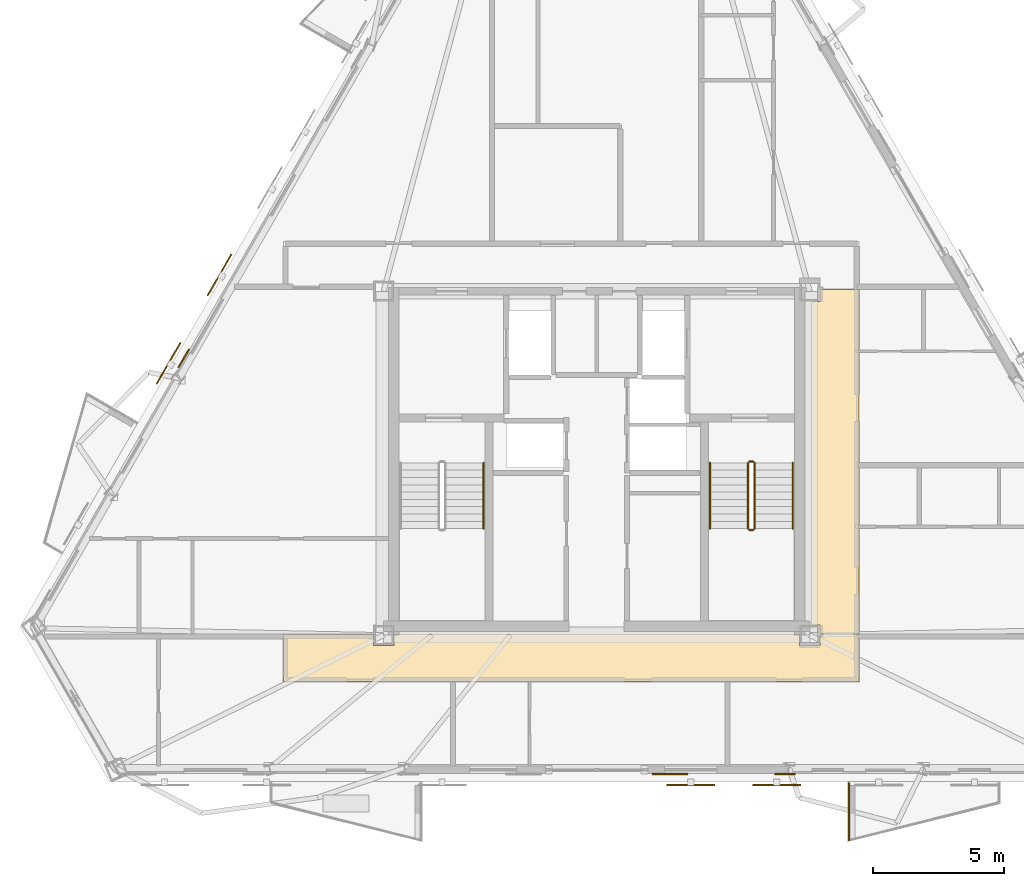
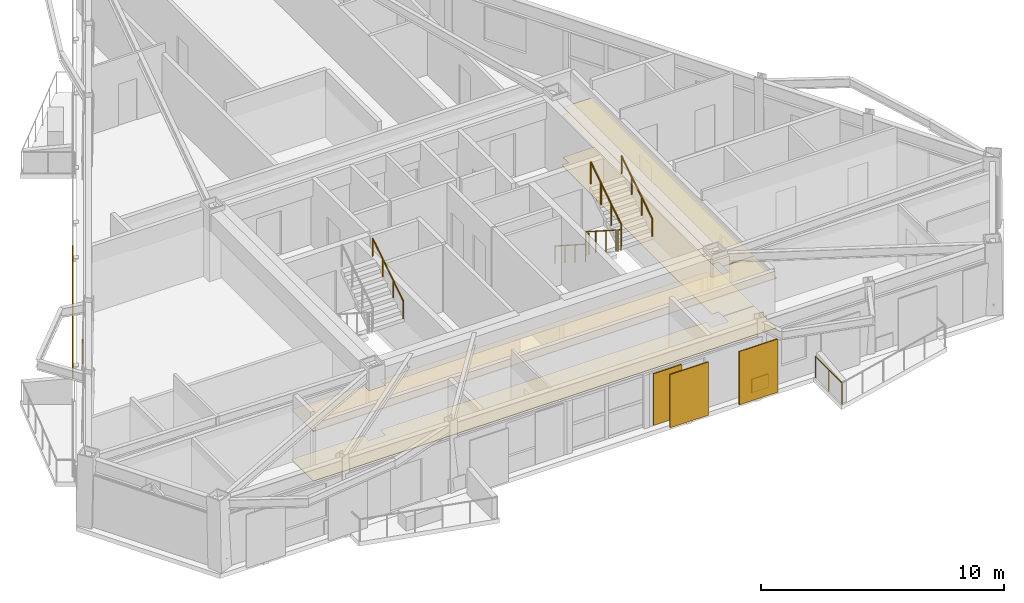
# One storey, part 11 of 12: 8 railings, 7 coverings, 4 shading devices.
"""IFC4 building model written with IfcOpenShell, lengths in metres."""

from ifc_helpers import new_model, si_unit, direction, frame, origin, origin_2d, place, context, subcontext, project, spatial, polyline, rectangle, circle, outline, extrude, material, layer, layer_set, type_object, element, save


model = new_model("IFC4")

# Units and contexts
model_context = context("Model", 3, precision=1e-05, world=origin(), true_north=direction((0.0, 1.0)))
body_context = subcontext(model_context, "Body", "Model", "MODEL_VIEW")
ifc_project = project(units=[si_unit("LENGTHUNIT", "METRE"), si_unit("AREAUNIT", "SQUARE_METRE"), si_unit("VOLUMEUNIT", "CUBIC_METRE"), si_unit("PLANEANGLEUNIT", "RADIAN"), si_unit("MASSUNIT", "GRAM", prefix="KILO")], contexts=[model_context])

# Site, building, storey
site_placement = place(None, origin())
site = spatial("IfcSite", under=ifc_project, at=site_placement, CompositionType="ELEMENT")
building_placement = place(site_placement, origin())
building = spatial("IfcBuilding", under=site, at=building_placement, Name="Oramaril Tower", CompositionType="ELEMENT")
storey_placement = place(building_placement, frame((0.0, 0.0, 227.10009765625)))
storey = spatial("IfcBuildingStorey", under=building, at=storey_placement, Name="L60", CompositionType="ELEMENT", Elevation=227.10009765625)

# Coverings
ifc_material_1 = material(Name="Mineral Fibre Acoustic Ceiling")
ifc_layer_1 = layer(ifc_material_1, 0.02001953125)
ifc_layer_set_1 = layer_set([ifc_layer_1], Name="CVT-CEIL")
covering_type_1 = type_object("IfcCoveringType", Name="CVT-CEIL", PredefinedType="CEILING", material=ifc_layer_set_1)
covering_1_placement = place(storey_placement, frame((0.0, 0.0, 2.511962890625)))
element("IfcCovering", 1, at=covering_1_placement, inside=storey, type_object=covering_type_1, Name="L60 Acoustic Suspended Ceiling 1", PredefinedType="CEILING", context=body_context, shape_type="SweptSolid", body=[
    extrude(outline(polyline([(28.955078125, 10.60498046875), (29.7451171875, 10.60498046875), (29.7451171875, 11.030029296875), (45.2548828125, 11.030029296875), (45.2548828125, 10.60498046875), (46.044921875, 10.60498046875), (46.044921875, 11.030029296875), (47.530029296875, 11.030029296875), (47.530029296875, 9.219970703125), (25.52001953125, 9.219970703125), (25.52001953125, 11.030029296875), (28.955078125, 11.030029296875), (28.955078125, 10.60498046875)])), origin(), (0.0, 0.0, 1.0), 0.02001953125),
])
covering_2_placement = place(storey_placement, frame((0.0, 0.0, 2.511962890625)))
element("IfcCovering", 2, at=covering_2_placement, inside=storey, type_object=covering_type_1, Name="L60 Acoustic Suspended Ceiling 3", PredefinedType="CEILING", context=body_context, shape_type="SweptSolid", body=[
    extrude(outline(polyline([(47.530029296875, 11.050048828125), (46.044921875, 11.050048828125), (46.044921875, 11.39501953125), (45.719970703125, 11.39501953125), (45.719970703125, 23.7548828125), (46.044921875, 23.7548828125), (46.044921875, 24.219970703125), (47.530029296875, 24.219970703125), (47.530029296875, 11.050048828125)])), origin(), (0.0, 0.0, 1.0), 0.02001953125),
])
ifc_material_2 = material(Name="Warm Cream Limestone", Category="masonry")
ifc_layer_2 = layer(ifc_material_2, 0.050048828125)
ifc_layer_set_2 = layer_set([ifc_layer_2], Name="CVT-CLD")
covering_type_2 = type_object("IfcCoveringType", Name="CVT-CLD", PredefinedType="CLADDING", material=ifc_layer_set_2)
covering_3_placement = place(storey_placement, frame((40.300048828125, 5.681396484375, 0.0400390625), z_axis=(0.0, 0.0, 1.0), x_axis=(1.0, 0.0, 0.0)))
element("IfcCovering", 3, at=covering_3_placement, inside=storey, type_object=covering_type_2, Name="L60 Warm Cream Limestone Cladding", PredefinedType="CLADDING", context=body_context, shape_type="SweptSolid", body=[
    extrude(rectangle(XDim=1.35009765625, YDim=0.050048828125, at=origin_2d()), origin(), (0.0, 0.0, 1.0), 2.596923828125),
])
for number, where, z_axis, x_axis, name in (
    (4, (44.70458984375, 5.681396484375, 0.0400390625), (0.0, 0.0, 1.0), (1.0, 0.0, 0.0), "L60 Warm Cream Limestone Spandrel Cladding"),
    (5, (21.706298828125, 21.581787109375, 0.0400390625), (0.0, 0.0, 1.0), (-0.4999984885, -0.866026276448, 0.0), "L60 Warm Cream Limestone Spandrel Cladding"),
):
    element("IfcCovering", number, at=place(storey_placement, frame(where, z_axis=z_axis, x_axis=x_axis)), inside=storey, type_object=covering_type_2, Name=name, PredefinedType="CLADDING", context=body_context, shape_type="SweptSolid", body=[
        extrude(rectangle(XDim=0.800048828125, YDim=0.050048828125, at=origin_2d()), origin(), (0.0, 0.0, 1.0), 0.679931640625),
    ])
ifc_material_3 = material(Name="Honed Quartzite Stone Flooring", Category="masonry")
ifc_layer_3 = layer(ifc_material_3, 0.02490234375)
ifc_layer_set_3 = layer_set([ifc_layer_3], Name="CVT-FLR")
covering_type_3 = type_object("IfcCoveringType", Name="CVT-FLR", PredefinedType="FLOORING", material=ifc_layer_set_3)
covering_4_placement = place(storey_placement, origin())
element("IfcCovering", 6, at=covering_4_placement, inside=storey, type_object=covering_type_3, Name="L60 Honed Stone Floor Finish 1", PredefinedType="FLOORING", context=body_context, shape_type="SweptSolid", body=[
    extrude(outline(polyline([(28.955078125, 10.60498046875), (29.7451171875, 10.60498046875), (29.7451171875, 11.030029296875), (45.2548828125, 11.030029296875), (45.2548828125, 10.60498046875), (46.044921875, 10.60498046875), (46.044921875, 11.030029296875), (47.530029296875, 11.030029296875), (47.530029296875, 9.219970703125), (25.52001953125, 9.219970703125), (25.52001953125, 11.030029296875), (28.955078125, 11.030029296875), (28.955078125, 10.60498046875)])), origin(), (0.0, 0.0, 1.0), 0.02490234375),
])
covering_5_placement = place(storey_placement, origin())
element("IfcCovering", 7, at=covering_5_placement, inside=storey, type_object=covering_type_3, Name="L60 Honed Stone Floor Finish 3", PredefinedType="FLOORING", context=body_context, shape_type="SweptSolid", body=[
    extrude(outline(polyline([(47.530029296875, 11.050048828125), (46.044921875, 11.050048828125), (46.044921875, 11.39501953125), (45.719970703125, 11.39501953125), (45.719970703125, 23.7548828125), (46.044921875, 23.7548828125), (46.044921875, 24.219970703125), (47.530029296875, 24.219970703125), (47.530029296875, 11.050048828125)])), origin(), (0.0, 0.0, 1.0), 0.02490234375),
])

# Railings
ifc_material_4 = material(Name="Stainless Steel 316L", Category="steel")
railing_type_1 = type_object("IfcRailingType", Name="RLT-GRD", PredefinedType="GUARDRAIL", material=ifc_material_4)
railing_1_placement = place(storey_placement, frame((47.146484375, 3.1494140625, 0.0)))
element("IfcRailing", 8, at=railing_1_placement, inside=storey, type_object=railing_type_1, Name="L60 Balcony Guardrail L60-BAL-S2.3", PredefinedType="GUARDRAIL", context=body_context, shape_type="SweptSolid", body=[
    extrude(circle(Radius=0.02392578125, at=origin_2d()), frame((0.0, 0.0, 1.076171875), z_axis=(0.0, 1.0, 0.0), x_axis=(-1.0, 0.0, 0.0)), (0.0, 0.0, 1.0), 2.19189453125),
    extrude(circle(Radius=0.02099609375, at=origin_2d()), origin(), (0.0, 0.0, 1.0), 1.052001953125),
    extrude(circle(Radius=0.02099609375, at=origin_2d()), frame((0.0, 1.095947265625, 0.0)), (0.0, 0.0, 1.0), 1.052001953125),
    extrude(circle(Radius=0.02099609375, at=origin_2d()), frame((0.0, 2.19189453125, 0.0)), (0.0, 0.0, 1.0), 1.052001953125),
])
railing_2_placement = place(storey_placement, frame((43.2900390625, 17.590087890625, 0.179931640625)))
element("IfcRailing", 9, at=railing_2_placement, inside=storey, type_object=railing_type_1, Name="L60 ST-2 stair guard 1", PredefinedType="GUARDRAIL", context=body_context, shape_type="SweptSolid", body=[
    extrude(circle(Radius=0.02392578125, at=origin_2d()), frame((0.0, 0.0, 1.076171875), z_axis=(0.0, -0.841199657755, 0.540724639528), x_axis=(1.0, 0.0, 0.0)), (0.0, 0.0, 1.0), 2.995849609375),
    extrude(circle(Radius=0.02099609375, at=origin_2d()), origin(), (0.0, 0.0, 1.0), 1.052001953125),
    extrude(circle(Radius=0.02099609375, at=origin_2d()), frame((0.0, -0.840087890625, 0.5400390625)), (0.0, 0.0, 1.0), 1.052001953125),
    extrude(circle(Radius=0.02099609375, at=origin_2d()), frame((0.0, -1.679931640625, 1.079833984375)), (0.0, 0.0, 1.0), 1.052001953125),
    extrude(circle(Radius=0.02099609375, at=origin_2d()), frame((0.0, -2.52001953125, 1.619873046875)), (0.0, 0.0, 1.0), 1.052001953125),
])
railing_3_placement = place(storey_placement, frame((43.340087890625, 15.02001953125, 1.7998046875)))
element("IfcRailing", 10, at=railing_3_placement, inside=storey, type_object=railing_type_1, Name="L60 ST-2 stair guard 2", PredefinedType="GUARDRAIL", context=body_context, shape_type="SweptSolid", body=[
    extrude(circle(Radius=0.02392578125, at=origin_2d()), frame((0.0, 0.0, 1.076171875), z_axis=(1.0, 0.0, 0.0), x_axis=(0.0, 1.0, 0.0)), (0.0, 0.0, 1.0), 0.14990234375),
    extrude(circle(Radius=0.02099609375, at=origin_2d()), origin(), (0.0, 0.0, 1.0), 1.052001953125),
    extrude(circle(Radius=0.02099609375, at=origin_2d()), frame((0.14990234375, 0.0, 0.0)), (0.0, 0.0, 1.0), 1.052001953125),
])
railing_4_placement = place(storey_placement, frame((43.5400390625, 15.070068359375, 1.97998046875)))
element("IfcRailing", 11, at=railing_4_placement, inside=storey, type_object=railing_type_1, Name="L60 ST-2 stair guard 3", PredefinedType="GUARDRAIL", context=body_context, shape_type="SweptSolid", body=[
    extrude(circle(Radius=0.02392578125, at=origin_2d()), frame((0.0, 0.0, 1.076171875), z_axis=(0.0, 0.841199657755, 0.540724639528), x_axis=(-1.0, 0.0, 0.0)), (0.0, 0.0, 1.0), 2.995849609375),
    extrude(circle(Radius=0.02099609375, at=origin_2d()), origin(), (0.0, 0.0, 1.0), 1.052001953125),
    extrude(circle(Radius=0.02099609375, at=origin_2d()), frame((0.0, 0.840087890625, 0.5400390625)), (0.0, 0.0, 1.0), 1.052001953125),
    extrude(circle(Radius=0.02099609375, at=origin_2d()), frame((0.0, 1.679931640625, 1.079833984375)), (0.0, 0.0, 1.0), 1.052001953125),
    extrude(circle(Radius=0.02099609375, at=origin_2d()), frame((0.0, 2.52001953125, 1.619873046875)), (0.0, 0.0, 1.0), 1.052001953125),
])
railing_5_placement = place(storey_placement, frame((43.340087890625, 17.639892578125, 0.0)))
element("IfcRailing", 12, at=railing_5_placement, inside=storey, type_object=railing_type_1, Name="L60 ST-2 stair guard 4", PredefinedType="GUARDRAIL", context=body_context, shape_type="SweptSolid", body=[
    extrude(circle(Radius=0.02392578125, at=origin_2d()), frame((0.0, 0.0, 1.076171875), z_axis=(1.0, 0.0, 0.0), x_axis=(0.0, 1.0, 0.0)), (0.0, 0.0, 1.0), 0.14990234375),
    extrude(circle(Radius=0.02099609375, at=origin_2d()), origin(), (0.0, 0.0, 1.0), 1.052001953125),
    extrude(circle(Radius=0.02099609375, at=origin_2d()), frame((0.14990234375, 0.0, 0.0)), (0.0, 0.0, 1.0), 1.052001953125),
])
ifc_material_5 = material(Name="Stainless Steel 316L", Category="steel")
railing_type_2 = type_object("IfcRailingType", Name="RLT-HND", PredefinedType="HANDRAIL", material=ifc_material_5)
railing_6_placement = place(storey_placement, frame((33.169921875, 15.070068359375, 1.97998046875)))
element("IfcRailing", 13, at=railing_6_placement, inside=storey, type_object=railing_type_2, Name="L60 ST-1 stair handrail 2", PredefinedType="HANDRAIL", context=body_context, shape_type="SweptSolid", body=[
    extrude(circle(Radius=0.02392578125, at=origin_2d()), frame((0.0, 0.0, 0.8759765625), z_axis=(0.0, 0.841199657755, 0.540724639528), x_axis=(-1.0, 0.0, 0.0)), (0.0, 0.0, 1.0), 2.995849609375),
    extrude(circle(Radius=0.02099609375, at=origin_2d()), origin(), (0.0, 0.0, 1.0), 0.851806640625),
    extrude(circle(Radius=0.02099609375, at=origin_2d()), frame((0.0, 0.840087890625, 0.5400390625)), (0.0, 0.0, 1.0), 0.851806640625),
    extrude(circle(Radius=0.02099609375, at=origin_2d()), frame((0.0, 1.679931640625, 1.079833984375)), (0.0, 0.0, 1.0), 0.851806640625),
    extrude(circle(Radius=0.02099609375, at=origin_2d()), frame((0.0, 2.52001953125, 1.619873046875)), (0.0, 0.0, 1.0), 0.851806640625),
])
railing_7_placement = place(storey_placement, frame((41.830078125, 17.590087890625, 0.179931640625)))
element("IfcRailing", 14, at=railing_7_placement, inside=storey, type_object=railing_type_2, Name="L60 ST-2 stair handrail 1", PredefinedType="HANDRAIL", context=body_context, shape_type="SweptSolid", body=[
    extrude(circle(Radius=0.02392578125, at=origin_2d()), frame((0.0, 0.0, 0.8759765625), z_axis=(0.0, -0.841199657755, 0.540724639528), x_axis=(1.0, 0.0, 0.0)), (0.0, 0.0, 1.0), 2.995849609375),
    extrude(circle(Radius=0.02099609375, at=origin_2d()), origin(), (0.0, 0.0, 1.0), 0.851806640625),
    extrude(circle(Radius=0.02099609375, at=origin_2d()), frame((0.0, -0.840087890625, 0.5400390625)), (0.0, 0.0, 1.0), 0.851806640625),
    extrude(circle(Radius=0.02099609375, at=origin_2d()), frame((0.0, -1.679931640625, 1.079833984375)), (0.0, 0.0, 1.0), 0.851806640625),
    extrude(circle(Radius=0.02099609375, at=origin_2d()), frame((0.0, -2.52001953125, 1.619873046875)), (0.0, 0.0, 1.0), 0.851806640625),
])
railing_8_placement = place(storey_placement, frame((45.0, 15.070068359375, 1.97998046875)))
element("IfcRailing", 15, at=railing_8_placement, inside=storey, type_object=railing_type_2, Name="L60 ST-2 stair handrail 2", PredefinedType="HANDRAIL", context=body_context, shape_type="SweptSolid", body=[
    extrude(circle(Radius=0.02392578125, at=origin_2d()), frame((0.0, 0.0, 0.8759765625), z_axis=(0.0, 0.841199657755, 0.540724639528), x_axis=(-1.0, 0.0, 0.0)), (0.0, 0.0, 1.0), 2.995849609375),
    extrude(circle(Radius=0.02099609375, at=origin_2d()), origin(), (0.0, 0.0, 1.0), 0.851806640625),
    extrude(circle(Radius=0.02099609375, at=origin_2d()), frame((0.0, 0.840087890625, 0.5400390625)), (0.0, 0.0, 1.0), 0.851806640625),
    extrude(circle(Radius=0.02099609375, at=origin_2d()), frame((0.0, 1.679931640625, 1.079833984375)), (0.0, 0.0, 1.0), 0.851806640625),
    extrude(circle(Radius=0.02099609375, at=origin_2d()), frame((0.0, 2.52001953125, 1.619873046875)), (0.0, 0.0, 1.0), 0.851806640625),
])

# Shading devices
for number, where, z_axis, x_axis, name in (
    (16, (41.09521484375, 5.269287109375, -0.02001953125), (0.0, 0.0, 1.0), (1.0, 0.0, 0.0), "L60 Perforated Ceramic Solar Screen"),
    (17, (44.38720703125, 5.269287109375, -0.02001953125), (0.0, 0.0, 1.0), (1.0, 0.0, 0.0), "L60 Perforated Ceramic Solar Screen"),
    (18, (23.07568359375, 24.77783203125, -0.02001953125), (0.0, 0.0, 1.0), (-0.4999984885, -0.866026276448, 0.0), "L60 Perforated Ceramic Solar Screen"),
    (19, (21.125732421875, 21.400390625, -0.02001953125), (0.0, 0.0, 1.0), (-0.4999984885, -0.866026276448, 0.0), "L60 Perforated Ceramic Solar Screen"),
):
    element("IfcShadingDevice", number, at=place(storey_placement, frame(where, z_axis=z_axis, x_axis=x_axis)), inside=storey, Name=name, ObjectType="SCREEN", PredefinedType="USERDEFINED", context=body_context, shape_type="SweptSolid", body=[
        extrude(rectangle(XDim=1.8330078125, YDim=0.050048828125, at=origin_2d()), origin(), (0.0, 0.0, 1.0), 2.677001953125),
    ])

save(model, "model.ifc")
